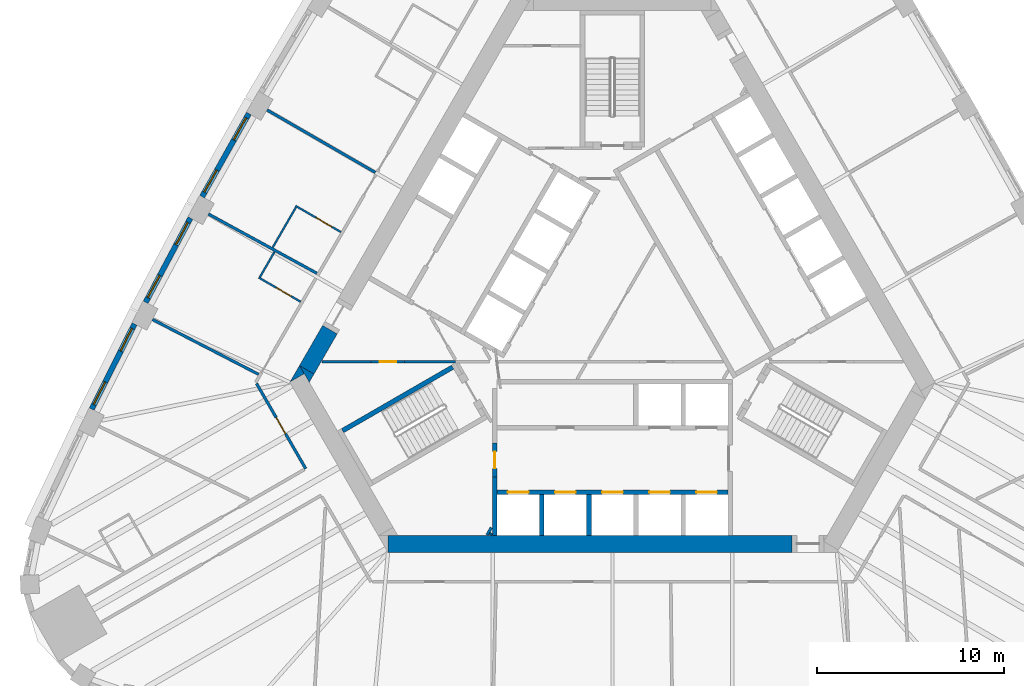
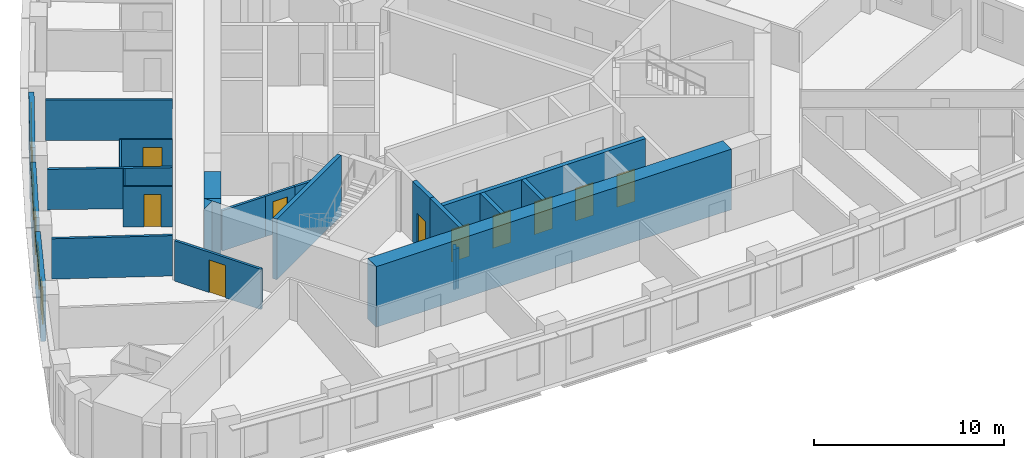
# One storey, part 4 of 12: 26 walls, 10 doors, 6 windows, 16 openings.
"""IFC4 building model written with IfcOpenShell, lengths in metres."""

import ifcopenshell
import ifcopenshell.guid

model = None  # the IFC model being written
_history = None  # IfcOwnerHistory: only IFC2X3 demands one
_inside = {}  # id of a spatial element -> (the spatial element, [elements in it])
_under = {}  # id of a project, library or spatial element -> (it, [spatial elements below it])
_declared = {}  # id of a project -> (the project, [libraries it declares])
_typed = {}  # id of a type object -> (the type object, [elements of that type])
_made_of = {}  # id of a material, layer set ... -> (it, [elements and type objects made of it])


def new_model(schema):
    """Start an empty IFC model of exactly this schema.

    Asked for "IFC4X3", IfcOpenShell would pick the latest addendum, in which some entities
    have other attributes; the version numbers below select the first issue.
    IFC2X3 requires an IfcOwnerHistory on every rooted entity: one is made here for all.
    """
    global model, _history
    if schema == "IFC4X3":
        model = ifcopenshell.file(schema_version=(4, 3, 0, 0))
    else:
        model = ifcopenshell.file(schema=schema)
    _inside.clear()
    _under.clear()
    _declared.clear()
    _typed.clear()
    _made_of.clear()
    _history = None
    if model.schema == "IFC2X3":
        org = make("IfcOrganization", Name="unknown")
        user = make(
            "IfcPersonAndOrganization",
            ThePerson=make("IfcPerson", FamilyName="unknown"),
            TheOrganization=org,
        )
        app = make(
            "IfcApplication",
            ApplicationDeveloper=org,
            Version="unknown",
            ApplicationFullName="unknown",
            ApplicationIdentifier="unknown",
        )
        _history = make(
            "IfcOwnerHistory",
            OwningUser=user,
            OwningApplication=app,
            ChangeAction="ADDED",
            CreationDate=0,
        )
    return model


def make(cls, **values):
    """One entity of the class cls with the attributes given. An attribute that is None is left unset."""
    return model.create_entity(
        cls, **{name: value for name, value in values.items() if value is not None}
    )


def rooted(cls, **values):
    """An entity with a GlobalId (a new one), such as an element, a storey or a relation."""
    return make(cls, GlobalId=ifcopenshell.guid.new(), OwnerHistory=_history, **values)


def si_unit(unit_type, name, prefix=None):
    """IfcSIUnit, for example si_unit("LENGTHUNIT", "METRE", prefix="MILLI")."""
    return make("IfcSIUnit", UnitType=unit_type, Prefix=prefix, Name=name)


def assignment(units):
    """IfcUnitAssignment: the units of a project."""
    return None if units is None else make("IfcUnitAssignment", Units=units)


def point(xyz):
    """IfcCartesianPoint."""
    return None if xyz is None else make("IfcCartesianPoint", Coordinates=xyz)


def direction(xyz):
    """IfcDirection."""
    return None if xyz is None else make("IfcDirection", DirectionRatios=xyz)


def frame(location, z_axis=None, x_axis=None):
    """IfcAxis2Placement3D, a coordinate frame: its origin and axes. An axis left out is left unset."""
    return make(
        "IfcAxis2Placement3D",
        Location=point(location),
        Axis=direction(z_axis),
        RefDirection=direction(x_axis),
    )


def frame_2d(location, x_axis=None):
    """IfcAxis2Placement2D, a coordinate frame in the plane: its origin and x axis."""
    return make(
        "IfcAxis2Placement2D", Location=point(location), RefDirection=direction(x_axis)
    )


def origin():
    """The frame at (0, 0, 0) with its axes left unset."""
    return frame((0.0, 0.0, 0.0))


def place(relative_to, where):
    """IfcLocalPlacement: puts the frame where relative to a parent placement (None: the world)."""
    return make(
        "IfcLocalPlacement", PlacementRelTo=relative_to, RelativePlacement=where
    )


def context(
    kind, dimensions, precision=None, world=None, true_north=None, identifier=None
):
    """IfcGeometricRepresentationContext, for example the 3D "Model" context."""
    return make(
        "IfcGeometricRepresentationContext",
        ContextIdentifier=identifier,
        ContextType=kind,
        CoordinateSpaceDimension=dimensions,
        Precision=precision,
        WorldCoordinateSystem=world,
        TrueNorth=true_north,
    )


def subcontext(parent, identifier, kind, view, scale=None):
    """IfcGeometricRepresentationSubContext, for example "Body" below "Model"."""
    return make(
        "IfcGeometricRepresentationSubContext",
        ContextIdentifier=identifier,
        ContextType=kind,
        ParentContext=parent,
        TargetScale=scale,
        TargetView=view,
    )


def project(units=None, contexts=None):
    """IfcProject with its units and contexts."""
    return rooted(
        "IfcProject",
        Name="project",
        RepresentationContexts=contexts,
        UnitsInContext=assignment(units),
    )


def spatial(cls, under=None, at=None, **own):
    """A site, building, storey or space (cls), placed at a placement, below another one or the project."""
    s = rooted(cls, ObjectPlacement=at, **own)
    if under is not None:
        _under.setdefault(under.id(), (under, []))[1].append(s)
    return s


def polyline(points):
    """IfcPolyline through the points."""
    return make("IfcPolyline", Points=[point(p) for p in points])


def profile(cls, at=None, kind="AREA", **sizes):
    """A parametric profile (cls). Its sizes go by their IFC names, for example OverallWidth=200.0."""
    return make(cls, ProfileType=kind, Position=at, **sizes)


def rectangle(**sizes):
    """IfcRectangleProfileDef."""
    return profile("IfcRectangleProfileDef", **sizes)


def outline(outer, holes=None, kind="AREA"):
    """IfcArbitraryClosedProfileDef: a profile drawn as a closed curve; with holes, ...WithVoids."""
    if holes is None:
        return make("IfcArbitraryClosedProfileDef", ProfileType=kind, OuterCurve=outer)
    return make(
        "IfcArbitraryProfileDefWithVoids",
        ProfileType=kind,
        OuterCurve=outer,
        InnerCurves=holes,
    )


def extrude(swept, where, along, depth):
    """IfcExtrudedAreaSolid: the profile swept, set in the frame where, extruded along a direction by depth."""
    return make(
        "IfcExtrudedAreaSolid",
        SweptArea=swept,
        Position=where,
        ExtrudedDirection=direction(along),
        Depth=depth,
    )


def shape(context_of_items, identifier, shape_type, items):
    """IfcShapeRepresentation: the items that make up one representation, for example the "Body"."""
    return make(
        "IfcShapeRepresentation",
        ContextOfItems=context_of_items,
        RepresentationIdentifier=identifier,
        RepresentationType=shape_type,
        Items=items,
    )


def material(Name=None, Category=None):
    """IfcMaterial."""
    return make("IfcMaterial", Name=Name, Category=Category)


def layer(
    of_material, thickness, ventilated=None, Name=None, Category=None, Priority=None
):
    """IfcMaterialLayer: one layer of a wall or slab, of a material (None: an air gap)."""
    return make(
        "IfcMaterialLayer",
        Material=of_material,
        LayerThickness=thickness,
        IsVentilated=ventilated,
        Name=Name,
        Category=Category,
        Priority=Priority,
    )


def layer_set(layers, Name=None):
    """IfcMaterialLayerSet."""
    return make("IfcMaterialLayerSet", MaterialLayers=layers, LayerSetName=Name)


def made_of(thing, what):
    """Note that an element or type object is made of a material, layer set ...; save() writes the relation."""
    if what is not None:
        _made_of.setdefault(what.id(), (what, []))[1].append(thing)
    return thing


def type_object(cls, material=None, **own):
    """A type object (cls), such as IfcWallType, which elements share."""
    return made_of(rooted(cls, **own), material)


def element(
    cls,
    number,
    at=None,
    inside=None,
    cuts=None,
    type_object=None,
    material=None,
    context=None,
    identifier="Body",
    shape_type=None,
    held_by="IfcProductDefinitionShape",
    body=None,
    shapes=None,
    **own,
):
    """One element of the class cls, such as IfcWall. Its Tag is "e" and its number.

    at: its placement. inside: the storey or other place that contains it. cuts: it is an
    opening in that element (IfcRelVoidsElement). A single representation is given by context,
    identifier, shape_type and body (its items); several are given by shapes. held_by: the class
    of the entity that holds the representations. save() writes the other relations.
    """
    e = rooted(cls, Tag="e%d" % number, ObjectPlacement=at, **own)
    if body is not None:
        shapes = [shape(context, identifier, shape_type, body)]
    if shapes is not None:
        e.Representation = make(held_by, Representations=shapes)
    if inside is not None:
        _inside.setdefault(inside.id(), (inside, []))[1].append(e)
    if cuts is not None:
        rooted(
            "IfcRelVoidsElement", RelatingBuildingElement=cuts, RelatedOpeningElement=e
        )
    if type_object is not None:
        _typed.setdefault(type_object.id(), (type_object, []))[1].append(e)
    return made_of(e, material)


def fill(opening, filler):
    """IfcRelFillsElement: the door or window that sits in an opening."""
    return rooted(
        "IfcRelFillsElement",
        RelatingOpeningElement=opening,
        RelatedBuildingElement=filler,
    )


def aggregate(whole, parts):
    """IfcRelAggregates: a whole, such as a stair, and the parts it consists of."""
    return rooted("IfcRelAggregates", RelatingObject=whole, RelatedObjects=parts)


def save(model, path):
    """Write the relations noted so far, then the file.

    IfcRelAggregates (storeys below a building ...), IfcRelContainedInSpatialStructure (elements
    in a storey), IfcRelDefinesByType, IfcRelAssociatesMaterial and IfcRelDeclares: one each for
    every whole, place, type object, material and project.
    """
    for whole, parts in _under.values():
        aggregate(whole, parts)
    for where, things in _inside.values():
        rooted(
            "IfcRelContainedInSpatialStructure",
            RelatedElements=things,
            RelatingStructure=where,
        )
    for kind, things in _typed.values():
        rooted("IfcRelDefinesByType", RelatedObjects=things, RelatingType=kind)
    for what, things in _made_of.values():
        rooted("IfcRelAssociatesMaterial", RelatedObjects=things, RelatingMaterial=what)
    for by, libraries in _declared.values():
        rooted("IfcRelDeclares", RelatingContext=by, RelatedDefinitions=libraries)
    model.write(path)


model = new_model("IFC4")

# Units and contexts
model_context = context("Model", 3, precision=1e-05, world=origin(), true_north=direction((0.0, 1.0)))
body_context = subcontext(model_context, "Body", "Model", "MODEL_VIEW")
ifc_project = project(units=[si_unit("LENGTHUNIT", "METRE"), si_unit("AREAUNIT", "SQUARE_METRE"), si_unit("VOLUMEUNIT", "CUBIC_METRE"), si_unit("PLANEANGLEUNIT", "RADIAN"), si_unit("MASSUNIT", "GRAM", prefix="KILO")], contexts=[model_context])

# Site, building, storey
site_placement = place(None, origin())
site = spatial("IfcSite", under=ifc_project, at=site_placement, CompositionType="ELEMENT")
building_placement = place(site_placement, origin())
building = spatial("IfcBuilding", under=site, at=building_placement, Name="Mestral Congress Tower", CompositionType="ELEMENT")
storey_placement = place(building_placement, frame((0.0, 0.0, 130.5)))
storey = spatial("IfcBuildingStorey", under=building, at=storey_placement, Name="L31", CompositionType="ELEMENT", Elevation=130.5)

# Walls
ifc_material_1 = material(Name="Fire-rated board partition")
ifc_layer_1 = layer(ifc_material_1, 0.14990234375)
ifc_layer_set_1 = layer_set([ifc_layer_1], Name="Fire-rated board partition")
wall_type_1 = type_object("IfcWallType", Name="Core partition 150", PredefinedType="PARTITIONING", material=ifc_layer_set_1)
wall_1_placement = place(storey_placement, frame((-6.707763671875, -12.068115234375, 0.0), z_axis=(0.0, 0.0, 1.0), x_axis=(0.500000789788, 0.8660249478, 0.0)))
element("IfcWall", 1, at=wall_1_placement, inside=storey, type_object=wall_type_1, Name="L31 core wall", PredefinedType="PARTITIONING", context=body_context, shape_type="SweptSolid", body=[
    extrude(rectangle(XDim=0.45556640625, YDim=0.14990234375, at=frame_2d((0.227783203125, 0.0))), origin(), (0.0, 0.0, 1.0), 2.60009765625),
])
wall_2_placement = place(storey_placement, frame((-6.534423828125, -12.068115234375, 0.0), z_axis=(0.0, 0.0, 1.0), x_axis=(0.500240224089, 0.865886665912, 0.0)))
element("IfcWall", 2, at=wall_2_placement, inside=storey, type_object=wall_type_1, Name="L31 core wall", PredefinedType="PARTITIONING", context=body_context, shape_type="SweptSolid", body=[
    extrude(rectangle(XDim=0.10888671875, YDim=0.14990234375, at=frame_2d((0.054443359375, 0.0))), origin(), (0.0, 0.0, 1.0), 2.60009765625),
])
wall_3_placement = place(storey_placement, frame((-12.9150390625, -2.800048828125, 0.0), z_axis=(0.0, 0.0, 1.0), x_axis=(-1.0, 0.0, 0.0)))
element("IfcWall", 3, at=wall_3_placement, inside=storey, type_object=wall_type_1, Name="L31 core wall", PredefinedType="PARTITIONING", context=body_context, shape_type="SweptSolid", body=[
    extrude(rectangle(XDim=2.63671875, YDim=0.14990234375, at=frame_2d((1.318359375, 0.0))), origin(), (0.0, 0.0, 1.0), 2.60009765625),
])
wall_4_placement = place(storey_placement, frame((-11.11474609375, -2.800048828125, 0.0), z_axis=(0.0, 0.0, 1.0), x_axis=(1.0, 0.0, 0.0)))
element("IfcWall", 4, at=wall_4_placement, inside=storey, type_object=wall_type_1, Name="L31 core wall", PredefinedType="PARTITIONING", context=body_context, shape_type="SweptSolid", body=[
    extrude(rectangle(XDim=2.7080078125, YDim=0.14990234375, at=frame_2d((1.35400390625, 0.0))), origin(), (0.0, 0.0, 1.0), 2.60009765625),
])

# Wall, opening, door
wall_5_placement = place(storey_placement, frame((-12.914794921875, -2.800048828125, 0.0), z_axis=(0.0, 0.0, 1.0), x_axis=(1.0, 0.0, 0.0)))
wall_5 = element("IfcWall", 5, at=wall_5_placement, inside=storey, type_object=wall_type_1, Name="L31 door wall", PredefinedType="PARTITIONING", context=body_context, shape_type="SweptSolid", body=[
    extrude(rectangle(XDim=1.7998046875, YDim=0.14990234375, at=frame_2d((0.89990234375, 0.0))), origin(), (0.0, 0.0, 1.0), 2.60009765625),
])
opening_1_placement = place(wall_5_placement, frame((0.449951171875, 0.0, 0.0)))
opening_1 = element("IfcOpeningElement", 6, at=opening_1_placement, cuts=wall_5, Name="Opening SD-HUB1", PredefinedType="OPENING", context=body_context, shape_type="SweptSolid", body=[
    extrude(rectangle(XDim=0.89990234375, YDim=2.10009765625, at=frame_2d((0.449951171875, 1.050048828125))), frame((0.0, 0.0849609375, 0.0), z_axis=(0.0, -1.0, 0.0), x_axis=(1.0, 0.0, 0.0)), (0.0, 0.0, 1.0), 0.169921875),
])
ifc_material_2 = material(Name="Fire-rated steel door set", Category="steel")
door_type_1 = type_object("IfcDoorType", Name="Core door SR 900x2100", OperationType="SINGLE_SWING_LEFT", PredefinedType="DOOR", material=ifc_material_2)
door_1_placement = place(opening_1_placement, origin())
door_1 = element("IfcDoor", 7, at=door_1_placement, inside=storey, type_object=door_type_1, Name="Door SD-HUB1", OperationType="SINGLE_SWING_LEFT", OverallHeight=2.10009765625, OverallWidth=0.89990234375, PredefinedType="DOOR", context=body_context, shape_type="SweptSolid", body=[
    extrude(rectangle(XDim=0.89990234375, YDim=2.10009765625, at=frame_2d((0.449951171875, 1.050048828125))), frame((0.0, 0.02490234375, 0.0), z_axis=(0.0, -1.0, 0.0), x_axis=(1.0, 0.0, 0.0)), (0.0, 0.0, 1.0), 0.050048828125),
])
fill(opening_1, door_1)

# Walls
ifc_material_3 = material(Name="Concrete C60/75", Category="concrete")
ifc_layer_2 = layer(ifc_material_3, 0.89990234375)
ifc_layer_set_2 = layer_set([ifc_layer_2], Name="Concrete C60/75")
wall_type_2 = type_object("IfcWallType", Name="Core wall RC 900", PredefinedType="SOLIDWALL", material=ifc_layer_set_2)
wall_6_placement = place(storey_placement, frame((-12.0185546875, -12.550048828125, 0.0), z_axis=(0.0, 0.0, 1.0), x_axis=(1.0, 0.0, 0.0)))
element("IfcWall", 8, at=wall_6_placement, inside=storey, type_object=wall_type_2, Name="L31 core wall", PredefinedType="SOLIDWALL", context=body_context, shape_type="SweptSolid", body=[
    extrude(rectangle(XDim=21.63037109375, YDim=0.89990234375, at=frame_2d((10.815185546875, 0.0))), origin(), (0.0, 0.0, 1.0), 3.89990234375),
])
placement = place(storey_placement, origin())
element("IfcWall", 9, at=placement, inside=storey, type_object=wall_type_2, Name="L31 core wall", PredefinedType="SOLIDWALL", context=body_context, shape_type="SweptSolid", body=[
    extrude(outline(polyline([(-16.4892578125, -3.43994140625), (-17.251220703125, -3.8798828125), (-16.7431640625, -3.0), (-16.4892578125, -3.43994140625)])), origin(), (0.0, 0.0, 1.0), 3.89990234375),
])
wall_8_placement = place(storey_placement, frame((-15.117919921875, -1.085205078125, 0.0), z_axis=(0.0, 0.0, 1.0), x_axis=(-0.50006606081, -0.865987260198, 0.0)))
element("IfcWall", 10, at=wall_8_placement, inside=storey, type_object=wall_type_2, Name="L31 core wall", PredefinedType="SOLIDWALL", context=body_context, shape_type="SweptSolid", body=[
    extrude(rectangle(XDim=2.480712890625, YDim=0.89990234375, at=frame_2d((1.240234375, 0.0))), origin(), (0.0, 0.0, 1.0), 3.89990234375),
])
element("IfcWall", 11, at=placement, inside=storey, type_object=wall_type_2, Name="L31 core wall", PredefinedType="SOLIDWALL", context=body_context, shape_type="SweptSolid", body=[
    extrude(outline(polyline([(-16.223388671875, -3.89990234375), (-16.731689453125, -3.02001953125), (-15.969482421875, -3.460205078125), (-16.223388671875, -3.89990234375)])), origin(), (0.0, 0.0, 1.0), 3.89990234375),
])

# Wall, openings, windows
ifc_material_4 = material(Name="Precast concrete C40/50 with limestone facing", Category="masonry")
ifc_layer_3 = layer(ifc_material_4, 0.2900390625)
ifc_layer_set_3 = layer_set([ifc_layer_3], Name="Precast concrete C40/50 with limestone facing")
wall_type_3 = type_object("IfcWallType", Name="Facade stone wall 290", PredefinedType="SOLIDWALL", material=ifc_layer_set_3)
wall_10_placement = place(storey_placement, frame((-19.4580078125, 10.479736328125, 0.0), z_axis=(0.0, 0.0, 1.0), x_axis=(-0.48983164787, -0.87181704316, 0.0)))
wall_10 = element("IfcWall", 12, at=wall_10_placement, inside=storey, type_object=wall_type_3, Name="Facade wall F2-04", PredefinedType="SOLIDWALL", context=body_context, shape_type="SweptSolid", body=[
    extrude(rectangle(XDim=5.100341796875, YDim=0.2900390625, at=frame_2d((2.55029296875, 0.0))), origin(), (0.0, 0.0, 1.0), 3.5),
])
opening_2_placement = place(wall_10_placement, frame((0.2724609375, 0.0, 0.89990234375)))
opening_2 = element("IfcOpeningElement", 13, at=opening_2_placement, cuts=wall_10, Name="Opening W2", PredefinedType="OPENING", context=body_context, shape_type="SweptSolid", body=[
    extrude(rectangle(XDim=1.35009765625, YDim=2.14990234375, at=frame_2d((0.675048828125, 1.074951171875))), frame((0.0, 0.155029296875, 0.0), z_axis=(0.0, -1.0, 0.0), x_axis=(1.0, 0.0, 0.0)), (0.0, 0.0, 1.0), 0.31005859375),
])
opening_3_placement = place(wall_10_placement, frame((3.477783203125, 0.0, 0.89990234375)))
opening_3 = element("IfcOpeningElement", 14, at=opening_3_placement, cuts=wall_10, Name="Opening W2", PredefinedType="OPENING", context=body_context, shape_type="SweptSolid", body=[
    extrude(rectangle(XDim=1.35009765625, YDim=2.14990234375, at=frame_2d((0.675048828125, 1.074951171875))), frame((0.0, 0.155029296875, 0.0), z_axis=(0.0, -1.0, 0.0), x_axis=(1.0, 0.0, 0.0)), (0.0, 0.0, 1.0), 0.31005859375),
])
ifc_material_5 = material(Name="Clear low-emissivity double glazing", Category="glass")
window_type = type_object("IfcWindowType", Name="Facade punched window 1350 x 2150 sill 900", PartitioningType="DOUBLE_PANEL_VERTICAL", PredefinedType="WINDOW", material=ifc_material_5)
window_1_placement = place(opening_2_placement, origin())
window_1 = element("IfcWindow", 15, at=window_1_placement, inside=storey, type_object=window_type, Name="Window F2-04a", OverallHeight=2.14990234375, OverallWidth=1.35009765625, PartitioningType="DOUBLE_PANEL_VERTICAL", PredefinedType="WINDOW", context=body_context, shape_type="SweptSolid", body=[
    extrude(rectangle(XDim=1.35009765625, YDim=2.14990234375, at=frame_2d((0.675048828125, 1.074951171875))), frame((0.0, 0.01513671875, 0.0), z_axis=(0.0, -1.0, 0.0), x_axis=(1.0, 0.0, 0.0)), (0.0, 0.0, 1.0), 0.06005859375),
])
fill(opening_2, window_1)
window_2_placement = place(opening_3_placement, origin())
window_2 = element("IfcWindow", 16, at=window_2_placement, inside=storey, type_object=window_type, Name="Window F2-04b", OverallHeight=2.14990234375, OverallWidth=1.35009765625, PartitioningType="DOUBLE_PANEL_VERTICAL", PredefinedType="WINDOW", context=body_context, shape_type="SweptSolid", body=[
    extrude(rectangle(XDim=1.35009765625, YDim=2.14990234375, at=frame_2d((0.675048828125, 1.074951171875))), frame((0.0, 0.01513671875, 0.0), z_axis=(0.0, -1.0, 0.0), x_axis=(1.0, 0.0, 0.0)), (0.0, 0.0, 1.0), 0.06005859375),
])
fill(opening_3, window_2)

wall_11_placement = place(storey_placement, frame((-22.5830078125, 4.88671875, 0.0), z_axis=(0.0, 0.0, 1.0), x_axis=(-0.469323203119, -0.883026461106, 0.0)))
wall_11 = element("IfcWall", 17, at=wall_11_placement, inside=storey, type_object=wall_type_3, Name="Facade wall F2-05", PredefinedType="SOLIDWALL", context=body_context, shape_type="SweptSolid", body=[
    extrude(rectangle(XDim=5.1005859375, YDim=0.2900390625, at=frame_2d((2.55029296875, 0.0))), origin(), (0.0, 0.0, 1.0), 3.5),
])
opening_4_placement = place(wall_11_placement, frame((0.272705078125, 0.0, 0.89990234375)))
opening_4 = element("IfcOpeningElement", 18, at=opening_4_placement, cuts=wall_11, Name="Opening W2", PredefinedType="OPENING", context=body_context, shape_type="SweptSolid", body=[
    extrude(rectangle(XDim=1.35009765625, YDim=2.14990234375, at=frame_2d((0.675048828125, 1.074951171875))), frame((0.0, 0.155029296875, 0.0), z_axis=(0.0, -1.0, 0.0), x_axis=(1.0, 0.0, 0.0)), (0.0, 0.0, 1.0), 0.31005859375),
])
opening_5_placement = place(wall_11_placement, frame((3.477783203125, 0.0, 0.89990234375)))
opening_5 = element("IfcOpeningElement", 19, at=opening_5_placement, cuts=wall_11, Name="Opening W2", PredefinedType="OPENING", context=body_context, shape_type="SweptSolid", body=[
    extrude(rectangle(XDim=1.35009765625, YDim=2.14990234375, at=frame_2d((0.675048828125, 1.074951171875))), frame((0.0, 0.155029296875, 0.0), z_axis=(0.0, -1.0, 0.0), x_axis=(1.0, 0.0, 0.0)), (0.0, 0.0, 1.0), 0.31005859375),
])
window_3_placement = place(opening_4_placement, origin())
window_3 = element("IfcWindow", 20, at=window_3_placement, inside=storey, type_object=window_type, Name="Window F2-05a", OverallHeight=2.14990234375, OverallWidth=1.35009765625, PartitioningType="DOUBLE_PANEL_VERTICAL", PredefinedType="WINDOW", context=body_context, shape_type="SweptSolid", body=[
    extrude(rectangle(XDim=1.35009765625, YDim=2.14990234375, at=frame_2d((0.675048828125, 1.074951171875))), frame((0.0, 0.01513671875, 0.0), z_axis=(0.0, -1.0, 0.0), x_axis=(1.0, 0.0, 0.0)), (0.0, 0.0, 1.0), 0.06005859375),
])
fill(opening_4, window_3)
window_4_placement = place(opening_5_placement, origin())
window_4 = element("IfcWindow", 21, at=window_4_placement, inside=storey, type_object=window_type, Name="Window F2-05b", OverallHeight=2.14990234375, OverallWidth=1.35009765625, PartitioningType="DOUBLE_PANEL_VERTICAL", PredefinedType="WINDOW", context=body_context, shape_type="SweptSolid", body=[
    extrude(rectangle(XDim=1.35009765625, YDim=2.14990234375, at=frame_2d((0.675048828125, 1.074951171875))), frame((0.0, 0.01513671875, 0.0), z_axis=(0.0, -1.0, 0.0), x_axis=(1.0, 0.0, 0.0)), (0.0, 0.0, 1.0), 0.06005859375),
])
fill(opening_5, window_4)

wall_12_placement = place(storey_placement, frame((-25.576416015625, -0.77783203125, 0.0), z_axis=(0.0, 0.0, 1.0), x_axis=(-0.448534297211, -0.893765620409, 0.0)))
wall_12 = element("IfcWall", 22, at=wall_12_placement, inside=storey, type_object=wall_type_3, Name="Facade wall F2-06", PredefinedType="SOLIDWALL", context=body_context, shape_type="SweptSolid", body=[
    extrude(rectangle(XDim=5.10009765625, YDim=0.2900390625, at=frame_2d((2.550048828125, 0.0))), origin(), (0.0, 0.0, 1.0), 3.5),
])
opening_6_placement = place(wall_12_placement, frame((0.2724609375, 0.0, 0.89990234375)))
opening_6 = element("IfcOpeningElement", 23, at=opening_6_placement, cuts=wall_12, Name="Opening W2", PredefinedType="OPENING", context=body_context, shape_type="SweptSolid", body=[
    extrude(rectangle(XDim=1.35009765625, YDim=2.14990234375, at=frame_2d((0.675048828125, 1.074951171875))), frame((0.0, 0.155029296875, 0.0), z_axis=(0.0, -1.0, 0.0), x_axis=(1.0, 0.0, 0.0)), (0.0, 0.0, 1.0), 0.31005859375),
])
opening_7_placement = place(wall_12_placement, frame((3.477783203125, 0.0, 0.89990234375)))
opening_7 = element("IfcOpeningElement", 24, at=opening_7_placement, cuts=wall_12, Name="Opening W2", PredefinedType="OPENING", context=body_context, shape_type="SweptSolid", body=[
    extrude(rectangle(XDim=1.35009765625, YDim=2.14990234375, at=frame_2d((0.675048828125, 1.074951171875))), frame((0.0, 0.155029296875, 0.0), z_axis=(0.0, -1.0, 0.0), x_axis=(1.0, 0.0, 0.0)), (0.0, 0.0, 1.0), 0.31005859375),
])
window_5_placement = place(opening_6_placement, origin())
window_5 = element("IfcWindow", 25, at=window_5_placement, inside=storey, type_object=window_type, Name="Window F2-06a", OverallHeight=2.14990234375, OverallWidth=1.35009765625, PartitioningType="DOUBLE_PANEL_VERTICAL", PredefinedType="WINDOW", context=body_context, shape_type="SweptSolid", body=[
    extrude(rectangle(XDim=1.35009765625, YDim=2.14990234375, at=frame_2d((0.675048828125, 1.074951171875))), frame((0.0, 0.01513671875, 0.0), z_axis=(0.0, -1.0, 0.0), x_axis=(1.0, 0.0, 0.0)), (0.0, 0.0, 1.0), 0.06005859375),
])
fill(opening_6, window_5)
window_6_placement = place(opening_7_placement, origin())
window_6 = element("IfcWindow", 26, at=window_6_placement, inside=storey, type_object=window_type, Name="Window F2-06b", OverallHeight=2.14990234375, OverallWidth=1.35009765625, PartitioningType="DOUBLE_PANEL_VERTICAL", PredefinedType="WINDOW", context=body_context, shape_type="SweptSolid", body=[
    extrude(rectangle(XDim=1.35009765625, YDim=2.14990234375, at=frame_2d((0.675048828125, 1.074951171875))), frame((0.0, 0.01513671875, 0.0), z_axis=(0.0, -1.0, 0.0), x_axis=(1.0, 0.0, 0.0)), (0.0, 0.0, 1.0), 0.06005859375),
])
fill(opening_7, window_6)

# Wall, opening, door
ifc_material_6 = material(Name="Gypsum board partition on metal studs with mineral wool", Category="composite")
ifc_layer_4 = layer(ifc_material_6, 0.10009765625)
ifc_layer_set_4 = layer_set([ifc_layer_4], Name="Gypsum board partition on metal studs with mineral wool")
wall_type_4 = type_object("IfcWallType", Name="Hotel partition wall 100", PredefinedType="PARTITIONING", material=ifc_layer_set_4)
wall_13_placement = place(storey_placement, frame((-14.52734375, 4.1376953125, 0.0), z_axis=(0.0, 0.0, 1.0), x_axis=(-0.866018616679, 0.500011755427, 0.0)))
wall_13 = element("IfcWall", 27, at=wall_13_placement, inside=storey, type_object=wall_type_4, Name="L31-h-pod20a", PredefinedType="PARTITIONING", context=body_context, shape_type="SweptSolid", body=[
    extrude(rectangle(XDim=2.80029296875, YDim=0.10009765625, at=frame_2d((1.400146484375, 0.0))), origin(), (0.0, 0.0, 1.0), 2.60009765625),
])
opening_8_placement = place(wall_13_placement, frame((0.550048828125, 0.0, 0.0)))
opening_8 = element("IfcOpeningElement", 28, at=opening_8_placement, cuts=wall_13, Name="Opening H10-027", PredefinedType="OPENING", context=body_context, shape_type="SweptSolid", body=[
    extrude(rectangle(XDim=1.0, YDim=2.10009765625, at=frame_2d((0.5, 1.050048828125))), frame((0.0, 0.06005859375, 0.0), z_axis=(0.0, -1.0, 0.0), x_axis=(1.0, 0.0, 0.0)), (0.0, 0.0, 1.0), 0.1201171875),
])
ifc_material_7 = material(Name="Timber veneer door leaf in timber frame", Category="wood")
door_type_2 = type_object("IfcDoorType", Name="Accessible bathroom door 1000", OperationType="SINGLE_SWING_LEFT", PredefinedType="DOOR", material=ifc_material_7)
door_2_placement = place(opening_8_placement, origin())
door_2 = element("IfcDoor", 29, at=door_2_placement, inside=storey, type_object=door_type_2, Name="L31-h-d027", OperationType="SINGLE_SWING_LEFT", OverallHeight=2.10009765625, OverallWidth=1.0, PredefinedType="DOOR", context=body_context, shape_type="SweptSolid", body=[
    extrude(rectangle(XDim=1.0, YDim=2.10009765625, at=frame_2d((0.5, 1.050048828125))), frame((0.0, 0.02490234375, 0.0), z_axis=(0.0, -1.0, 0.0), x_axis=(1.0, 0.0, 0.0)), (0.0, 0.0, 1.0), 0.050048828125),
])
fill(opening_8, door_2)

# Wall
wall_14_placement = place(storey_placement, frame((-16.93408203125, 5.469482421875, 0.0), z_axis=(0.0, 0.0, 1.0), x_axis=(-0.499945955465, -0.866056604163, 0.0)))
element("IfcWall", 30, at=wall_14_placement, inside=storey, type_object=wall_type_4, Name="L31-h-pod20b", PredefinedType="PARTITIONING", context=body_context, shape_type="SweptSolid", body=[
    extrude(rectangle(XDim=2.489990234375, YDim=0.10009765625, at=frame_2d((1.2451171875, 0.0))), origin(), (0.0, 0.0, 1.0), 2.60009765625),
])

# Wall, opening, door
wall_15_placement = place(storey_placement, frame((-18.93310546875, 1.70703125, 0.0), z_axis=(0.0, 0.0, 1.0), x_axis=(0.866021400173, -0.500006934395, 0.0)))
wall_15 = element("IfcWall", 31, at=wall_15_placement, inside=storey, type_object=wall_type_4, Name="L31-h-pod21a", PredefinedType="PARTITIONING", context=body_context, shape_type="SweptSolid", body=[
    extrude(rectangle(XDim=2.60009765625, YDim=0.10009765625, at=frame_2d((1.300048828125, 0.0))), origin(), (0.0, 0.0, 1.0), 2.60009765625),
])
opening_9_placement = place(wall_15_placement, frame((1.10009765625, 0.0, 0.0)))
opening_9 = element("IfcOpeningElement", 32, at=opening_9_placement, cuts=wall_15, Name="Opening H10-029", PredefinedType="OPENING", context=body_context, shape_type="SweptSolid", body=[
    extrude(rectangle(XDim=0.89990234375, YDim=2.10009765625, at=frame_2d((0.449951171875, 1.050048828125))), frame((0.0, 0.06005859375, 0.0), z_axis=(0.0, -1.0, 0.0), x_axis=(1.0, 0.0, 0.0)), (0.0, 0.0, 1.0), 0.1201171875),
])
door_type_3 = type_object("IfcDoorType", Name="Bathroom door 900", OperationType="SINGLE_SWING_LEFT", PredefinedType="DOOR", material=ifc_material_7)
door_3_placement = place(opening_9_placement, origin())
door_3 = element("IfcDoor", 33, at=door_3_placement, inside=storey, type_object=door_type_3, Name="L31-h-d029", OperationType="SINGLE_SWING_RIGHT", OverallHeight=2.10009765625, OverallWidth=0.89990234375, PredefinedType="DOOR", context=body_context, shape_type="SweptSolid", body=[
    extrude(rectangle(XDim=0.89990234375, YDim=2.10009765625, at=frame_2d((0.449951171875, 1.050048828125))), frame((0.0, 0.02490234375, 0.0), z_axis=(0.0, -1.0, 0.0), x_axis=(1.0, 0.0, 0.0)), (0.0, 0.0, 1.0), 0.050048828125),
])
fill(opening_9, door_3)

# Wall
wall_16_placement = place(storey_placement, frame((-18.86474609375, 1.725341796875, 0.0), z_axis=(0.0, 0.0, 1.0), x_axis=(0.499993381564, 0.866029224906, 0.0)))
element("IfcWall", 34, at=wall_16_placement, inside=storey, type_object=wall_type_4, Name="L31-h-pod21b", PredefinedType="PARTITIONING", context=body_context, shape_type="SweptSolid", body=[
    extrude(rectangle(XDim=1.56005859375, YDim=0.10009765625, at=frame_2d((0.780029296875, 0.0))), origin(), (0.0, 0.0, 1.0), 2.60009765625),
])

# Wall, opening, door
ifc_layer_5 = layer(ifc_material_6, 0.14990234375)
ifc_layer_set_5 = layer_set([ifc_layer_5], Name="Gypsum board partition on metal studs with mineral wool")
wall_type_5 = type_object("IfcWallType", Name="Hotel partition wall 150", PredefinedType="PARTITIONING", material=ifc_layer_set_5)
wall_17_placement = place(storey_placement, frame((-16.412353515625, -8.52294921875, 0.0), z_axis=(0.0, 0.0, 1.0), x_axis=(-0.500001929737, 0.866024289647, 0.0)))
wall_17 = element("IfcWall", 35, at=wall_17_placement, inside=storey, type_object=wall_type_5, Name="L31-h-cw09", PredefinedType="PARTITIONING", context=body_context, shape_type="SweptSolid", body=[
    extrude(rectangle(XDim=5.26806640625, YDim=0.14990234375, at=frame_2d((2.634033203125, 0.0))), origin(), (0.0, 0.0, 1.0), 2.60009765625),
])
opening_10_placement = place(wall_17_placement, frame((2.1572265625, 0.0, 0.0)))
opening_10 = element("IfcOpeningElement", 36, at=opening_10_placement, cuts=wall_17, Name="Opening H10-030", PredefinedType="OPENING", context=body_context, shape_type="SweptSolid", body=[
    extrude(rectangle(XDim=1.0, YDim=2.10009765625, at=frame_2d((0.5, 1.050048828125))), frame((0.0, 0.0849609375, 0.0), z_axis=(0.0, -1.0, 0.0), x_axis=(1.0, 0.0, 0.0)), (0.0, 0.0, 1.0), 0.169921875),
])
ifc_material_8 = material(Name="Timber veneer door leaf in metal frame", Category="wood")
door_type_4 = type_object("IfcDoorType", Name="Guest room entrance door 1000", OperationType="SINGLE_SWING_LEFT", PredefinedType="DOOR", material=ifc_material_8)
door_4_placement = place(opening_10_placement, origin())
door_4 = element("IfcDoor", 37, at=door_4_placement, inside=storey, type_object=door_type_4, Name="L31-h-d030", OperationType="SINGLE_SWING_RIGHT", OverallHeight=2.10009765625, OverallWidth=1.0, PredefinedType="DOOR", context=body_context, shape_type="SweptSolid", body=[
    extrude(rectangle(XDim=1.0, YDim=2.10009765625, at=frame_2d((0.5, 1.050048828125))), frame((0.0, 0.02490234375, 0.0), z_axis=(0.0, -1.0, 0.0), x_axis=(1.0, 0.0, 0.0)), (0.0, 0.0, 1.0), 0.050048828125),
])
fill(opening_10, door_4)

# Walls
wall_18_placement = place(storey_placement, frame((-24.612548828125, -0.54052734375, 0.0), z_axis=(0.0, 0.0, 1.0), x_axis=(0.888459912519, -0.458954228487, 0.0)))
element("IfcWall", 38, at=wall_18_placement, inside=storey, type_object=wall_type_5, Name="L31-h-pw03", PredefinedType="PARTITIONING", context=body_context, shape_type="SweptSolid", body=[
    extrude(rectangle(XDim=6.391845703125, YDim=0.14990234375, at=frame_2d((3.19580078125, 0.0))), origin(), (0.0, 0.0, 1.0), 2.60009765625),
])
wall_19_placement = place(storey_placement, frame((-21.614013671875, 5.1015625, 0.0), z_axis=(0.0, 0.0, 1.0), x_axis=(0.877484555087, -0.479604895287, 0.0)))
element("IfcWall", 39, at=wall_19_placement, inside=storey, type_object=wall_type_5, Name="L31-h-pw04", PredefinedType="PARTITIONING", context=body_context, shape_type="SweptSolid", body=[
    extrude(rectangle(XDim=6.611083984375, YDim=0.14990234375, at=frame_2d((3.3056640625, 0.0))), origin(), (0.0, 0.0, 1.0), 2.60009765625),
])
wall_20_placement = place(storey_placement, frame((-18.484130859375, 10.671875, 0.0), z_axis=(0.0, 0.0, 1.0), x_axis=(0.866019162053, -0.50001081084, 0.0)))
element("IfcWall", 40, at=wall_20_placement, inside=storey, type_object=wall_type_5, Name="L31-h-pw06", PredefinedType="PARTITIONING", context=body_context, shape_type="SweptSolid", body=[
    extrude(rectangle(XDim=6.693603515625, YDim=0.14990234375, at=frame_2d((3.3466796875, 0.0))), origin(), (0.0, 0.0, 1.0), 2.60009765625),
])
ifc_layer_6 = layer(ifc_material_3, 0.25)
ifc_layer_set_6 = layer_set([ifc_layer_6], Name="Concrete C60/75")
wall_type_6 = type_object("IfcWallType", Name="Shaft wall RC 250", PredefinedType="SOLIDWALL", material=ifc_layer_set_6)
wall_21_placement = place(storey_placement, frame((-3.780029296875, -12.10009765625, 0.0), z_axis=(0.0, 0.0, 1.0), x_axis=(0.0, 1.0, 0.0)))
element("IfcWall", 41, at=wall_21_placement, inside=storey, type_object=wall_type_6, Name="L31 core wall", PredefinedType="SOLIDWALL", context=body_context, shape_type="SweptSolid", body=[
    extrude(rectangle(XDim=2.199951171875, YDim=0.25, at=frame_2d((1.10009765625, 0.0))), origin(), (0.0, 0.0, 1.0), 3.89990234375),
])
wall_22_placement = place(storey_placement, frame((-6.300048828125, -12.10009765625, 0.0), z_axis=(0.0, 0.0, 1.0), x_axis=(0.0, 1.0, 0.0)))
element("IfcWall", 42, at=wall_22_placement, inside=storey, type_object=wall_type_6, Name="L31 core wall", PredefinedType="SOLIDWALL", context=body_context, shape_type="SweptSolid", body=[
    extrude(rectangle(XDim=3.1455078125, YDim=0.25, at=frame_2d((1.57275390625, 0.0))), origin(), (0.0, 0.0, 1.0), 3.89990234375),
])
wall_23_placement = place(storey_placement, frame((-1.260009765625, -12.10009765625, 0.0), z_axis=(0.0, 0.0, 1.0), x_axis=(0.0, 1.0, 0.0)))
element("IfcWall", 43, at=wall_23_placement, inside=storey, type_object=wall_type_6, Name="L31 core wall", PredefinedType="SOLIDWALL", context=body_context, shape_type="SweptSolid", body=[
    extrude(rectangle(XDim=2.199951171875, YDim=0.25, at=frame_2d((1.10009765625, 0.0))), origin(), (0.0, 0.0, 1.0), 3.89990234375),
])

# Wall, openings, doors
wall_24_placement = place(storey_placement, frame((-6.175048828125, -9.77490234375, 0.0), z_axis=(0.0, 0.0, 1.0), x_axis=(1.0, 0.0, 0.0)))
wall_24 = element("IfcWall", 44, at=wall_24_placement, inside=storey, type_object=wall_type_6, Name="L31 door wall", PredefinedType="SOLIDWALL", context=body_context, shape_type="SweptSolid", body=[
    extrude(rectangle(XDim=12.35009765625, YDim=0.25, at=frame_2d((6.175048828125, 0.0))), origin(), (0.0, 0.0, 1.0), 3.89990234375),
])
opening_11_placement = place(wall_24_placement, frame((0.5849609375, 0.0, 0.0)))
opening_11 = element("IfcOpeningElement", 45, at=opening_11_placement, cuts=wall_24, Name="Opening LD-SOA1", PredefinedType="OPENING", context=body_context, shape_type="SweptSolid", body=[
    extrude(rectangle(XDim=1.10009765625, YDim=2.10009765625, at=frame_2d((0.550048828125, 1.050048828125))), frame((0.0, 0.135009765625, 0.0), z_axis=(0.0, -1.0, 0.0), x_axis=(1.0, 0.0, 0.0)), (0.0, 0.0, 1.0), 0.27001953125),
])
opening_12_placement = place(wall_24_placement, frame((3.10498046875, 0.0, 0.0)))
opening_12 = element("IfcOpeningElement", 46, at=opening_12_placement, cuts=wall_24, Name="Opening LD-SOA2", PredefinedType="OPENING", context=body_context, shape_type="SweptSolid", body=[
    extrude(rectangle(XDim=1.10009765625, YDim=2.10009765625, at=frame_2d((0.550048828125, 1.050048828125))), frame((0.0, 0.135009765625, 0.0), z_axis=(0.0, -1.0, 0.0), x_axis=(1.0, 0.0, 0.0)), (0.0, 0.0, 1.0), 0.27001953125),
])
opening_13_placement = place(wall_24_placement, frame((5.625, 0.0, 0.0)))
opening_13 = element("IfcOpeningElement", 47, at=opening_13_placement, cuts=wall_24, Name="Opening LD-SOA3", PredefinedType="OPENING", context=body_context, shape_type="SweptSolid", body=[
    extrude(rectangle(XDim=1.10009765625, YDim=2.10009765625, at=frame_2d((0.550048828125, 1.050048828125))), frame((0.0, 0.135009765625, 0.0), z_axis=(0.0, -1.0, 0.0), x_axis=(1.0, 0.0, 0.0)), (0.0, 0.0, 1.0), 0.27001953125),
])
opening_14_placement = place(wall_24_placement, frame((8.14501953125, 0.0, 0.0)))
opening_14 = element("IfcOpeningElement", 48, at=opening_14_placement, cuts=wall_24, Name="Opening LD-SOA4", PredefinedType="OPENING", context=body_context, shape_type="SweptSolid", body=[
    extrude(rectangle(XDim=1.10009765625, YDim=2.10009765625, at=frame_2d((0.550048828125, 1.050048828125))), frame((0.0, 0.135009765625, 0.0), z_axis=(0.0, -1.0, 0.0), x_axis=(1.0, 0.0, 0.0)), (0.0, 0.0, 1.0), 0.27001953125),
])
opening_15_placement = place(wall_24_placement, frame((10.6650390625, 0.0, 0.0)))
opening_15 = element("IfcOpeningElement", 49, at=opening_15_placement, cuts=wall_24, Name="Opening LD-SOA5", PredefinedType="OPENING", context=body_context, shape_type="SweptSolid", body=[
    extrude(rectangle(XDim=1.10009765625, YDim=2.10009765625, at=frame_2d((0.550048828125, 1.050048828125))), frame((0.0, 0.135009765625, 0.0), z_axis=(0.0, -1.0, 0.0), x_axis=(1.0, 0.0, 0.0)), (0.0, 0.0, 1.0), 0.27001953125),
])
door_type_5 = type_object("IfcDoorType", Name="Core door LD 1100x2100", OperationType="DOUBLE_DOOR_SLIDING", PredefinedType="DOOR", material=ifc_material_2)
door_5_placement = place(opening_11_placement, origin())
door_5 = element("IfcDoor", 50, at=door_5_placement, inside=storey, type_object=door_type_5, Name="Door LD-SOA1", OperationType="DOUBLE_DOOR_SLIDING", OverallHeight=2.10009765625, OverallWidth=1.10009765625, PredefinedType="DOOR", context=body_context, shape_type="SweptSolid", body=[
    extrude(rectangle(XDim=1.10009765625, YDim=2.10009765625, at=frame_2d((0.550048828125, 1.050048828125))), frame((0.0, 0.02490234375, 0.0), z_axis=(0.0, -1.0, 0.0), x_axis=(1.0, 0.0, 0.0)), (0.0, 0.0, 1.0), 0.050048828125),
])
fill(opening_11, door_5)
door_6_placement = place(opening_12_placement, origin())
door_6 = element("IfcDoor", 51, at=door_6_placement, inside=storey, type_object=door_type_5, Name="Door LD-SOA2", OperationType="DOUBLE_DOOR_SLIDING", OverallHeight=2.10009765625, OverallWidth=1.10009765625, PredefinedType="DOOR", context=body_context, shape_type="SweptSolid", body=[
    extrude(rectangle(XDim=1.10009765625, YDim=2.10009765625, at=frame_2d((0.550048828125, 1.050048828125))), frame((0.0, 0.02490234375, 0.0), z_axis=(0.0, -1.0, 0.0), x_axis=(1.0, 0.0, 0.0)), (0.0, 0.0, 1.0), 0.050048828125),
])
fill(opening_12, door_6)
door_7_placement = place(opening_13_placement, origin())
door_7 = element("IfcDoor", 52, at=door_7_placement, inside=storey, type_object=door_type_5, Name="Door LD-SOA3", OperationType="DOUBLE_DOOR_SLIDING", OverallHeight=2.10009765625, OverallWidth=1.10009765625, PredefinedType="DOOR", context=body_context, shape_type="SweptSolid", body=[
    extrude(rectangle(XDim=1.10009765625, YDim=2.10009765625, at=frame_2d((0.550048828125, 1.050048828125))), frame((0.0, 0.02490234375, 0.0), z_axis=(0.0, -1.0, 0.0), x_axis=(1.0, 0.0, 0.0)), (0.0, 0.0, 1.0), 0.050048828125),
])
fill(opening_13, door_7)
door_8_placement = place(opening_14_placement, origin())
door_8 = element("IfcDoor", 53, at=door_8_placement, inside=storey, type_object=door_type_5, Name="Door LD-SOA4", OperationType="DOUBLE_DOOR_SLIDING", OverallHeight=2.10009765625, OverallWidth=1.10009765625, PredefinedType="DOOR", context=body_context, shape_type="SweptSolid", body=[
    extrude(rectangle(XDim=1.10009765625, YDim=2.10009765625, at=frame_2d((0.550048828125, 1.050048828125))), frame((0.0, 0.02490234375, 0.0), z_axis=(0.0, -1.0, 0.0), x_axis=(1.0, 0.0, 0.0)), (0.0, 0.0, 1.0), 0.050048828125),
])
fill(opening_14, door_8)
door_9_placement = place(opening_15_placement, origin())
door_9 = element("IfcDoor", 54, at=door_9_placement, inside=storey, type_object=door_type_5, Name="Door LD-SOA5", OperationType="DOUBLE_DOOR_SLIDING", OverallHeight=2.10009765625, OverallWidth=1.10009765625, PredefinedType="DOOR", context=body_context, shape_type="SweptSolid", body=[
    extrude(rectangle(XDim=1.10009765625, YDim=2.10009765625, at=frame_2d((0.550048828125, 1.050048828125))), frame((0.0, 0.02490234375, 0.0), z_axis=(0.0, -1.0, 0.0), x_axis=(1.0, 0.0, 0.0)), (0.0, 0.0, 1.0), 0.050048828125),
])
fill(opening_15, door_9)

# Wall, opening, door
wall_25_placement = place(storey_placement, frame((-6.300048828125, -7.154296875, 0.0), z_axis=(0.0, 0.0, 1.0), x_axis=(0.0, -1.0, 0.0)))
wall_25 = element("IfcWall", 55, at=wall_25_placement, inside=storey, type_object=wall_type_6, Name="L31 door wall", PredefinedType="SOLIDWALL", context=body_context, shape_type="SweptSolid", body=[
    extrude(rectangle(XDim=1.800048828125, YDim=0.25, at=frame_2d((0.89990234375, 0.0))), origin(), (0.0, 0.0, 1.0), 3.89990234375),
])
opening_16_placement = place(wall_25_placement, frame((0.449951171875, 0.0, 0.0)))
opening_16 = element("IfcOpeningElement", 56, at=opening_16_placement, cuts=wall_25, Name="Opening TD3", PredefinedType="OPENING", context=body_context, shape_type="SweptSolid", body=[
    extrude(rectangle(XDim=0.89990234375, YDim=2.10009765625, at=frame_2d((0.449951171875, 1.050048828125))), frame((0.0, 0.135009765625, 0.0), z_axis=(0.0, -1.0, 0.0), x_axis=(1.0, 0.0, 0.0)), (0.0, 0.0, 1.0), 0.27001953125),
])
door_10_placement = place(opening_16_placement, origin())
door_10 = element("IfcDoor", 57, at=door_10_placement, inside=storey, type_object=door_type_1, Name="Door TD3", OperationType="SINGLE_SWING_LEFT", OverallHeight=2.10009765625, OverallWidth=0.89990234375, PredefinedType="DOOR", context=body_context, shape_type="SweptSolid", body=[
    extrude(rectangle(XDim=0.89990234375, YDim=2.10009765625, at=frame_2d((0.449951171875, 1.050048828125))), frame((0.0, 0.02490234375, 0.0), z_axis=(0.0, -1.0, 0.0), x_axis=(1.0, 0.0, 0.0)), (0.0, 0.0, 1.0), 0.050048828125),
])
fill(opening_16, door_10)

# Wall
ifc_layer_7 = layer(ifc_material_3, 0.25)
ifc_layer_set_7 = layer_set([ifc_layer_7], Name="Concrete C60/75")
wall_type_7 = type_object("IfcWallType", Name="Stair wall RC 250", PredefinedType="SOLIDWALL", material=ifc_layer_set_7)
wall_26_placement = place(storey_placement, frame((-14.43994140625, -6.489501953125, 0.0), z_axis=(0.0, 0.0, 1.0), x_axis=(0.866022966069, 0.500004222222, 0.0)))
element("IfcWall", 58, at=wall_26_placement, inside=storey, type_object=wall_type_7, Name="L31 core wall", PredefinedType="SOLIDWALL", context=body_context, shape_type="SweptSolid", body=[
    extrude(rectangle(XDim=6.80029296875, YDim=0.25, at=frame_2d((3.400146484375, 0.0))), origin(), (0.0, 0.0, 1.0), 3.89990234375),
])

save(model, "model.ifc")
